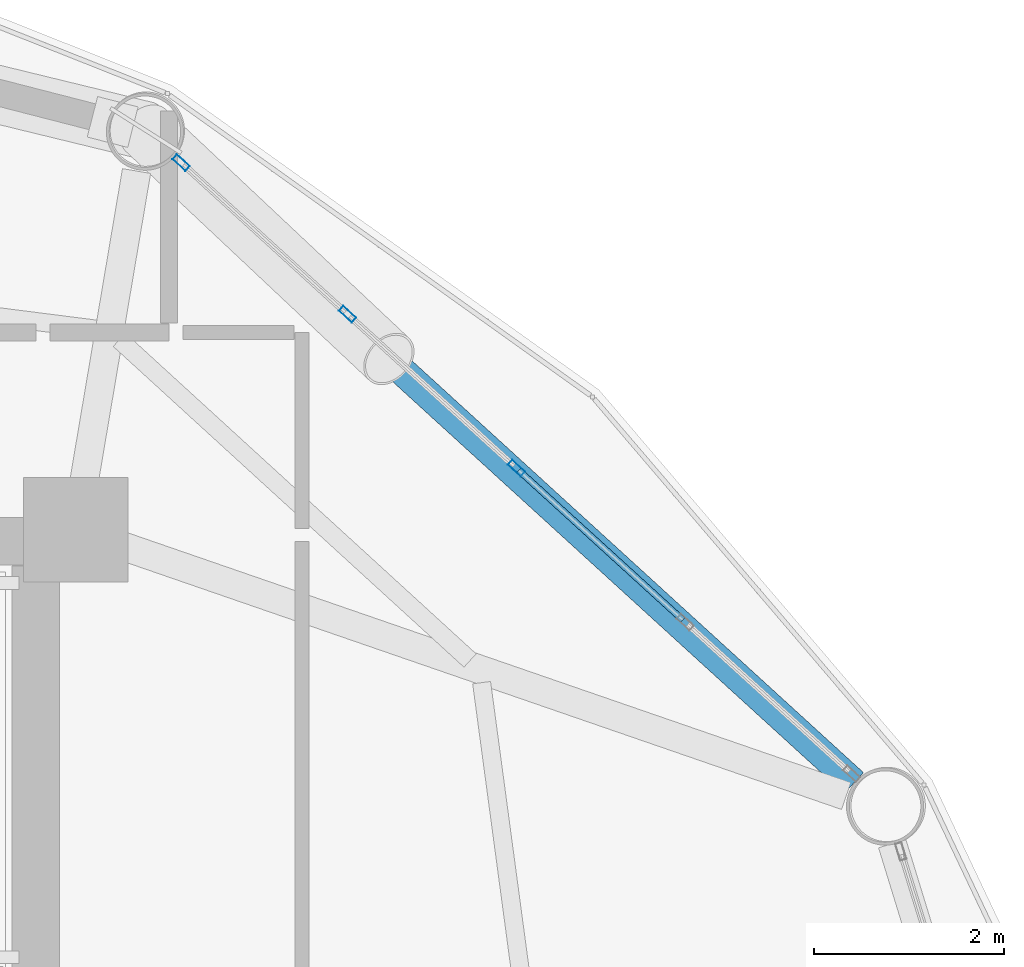
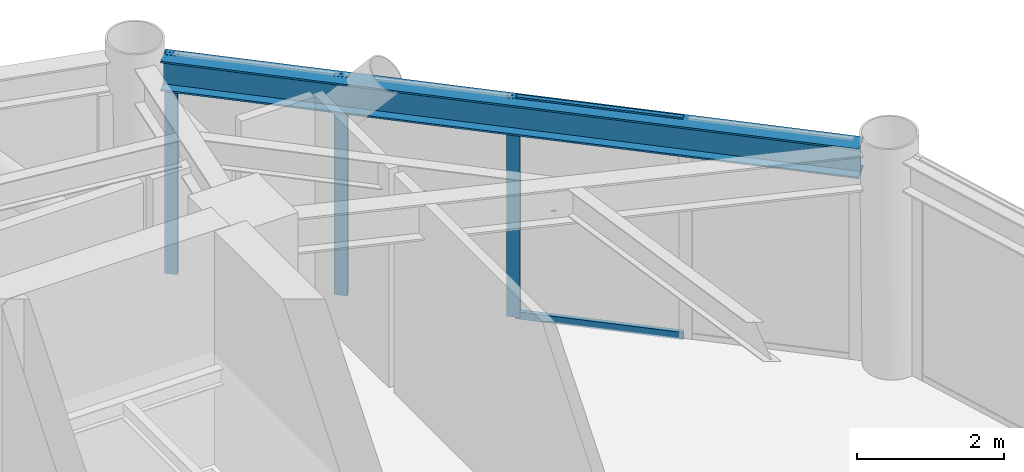
# One storey, part 18 of 24: 5 members, 1 beam, 1 element without a shape of its own.
"""IFC4 building model written with IfcOpenShell, lengths in metres."""

from ifc_helpers import new_model, si_unit, direction, frame, origin, origin_2d, place, context, subcontext, project, spatial, hollow_rectangle, i_section, extrude, material, layer, layer_set, material_profile, profile_set, type_object, element, aggregate, save


model = new_model("IFC4")

# Units and contexts
model_context = context("Model", 3, precision=1e-05, world=origin(), true_north=direction((0.0, 1.0)))
body_context = subcontext(model_context, "Body", "Model", "MODEL_VIEW")
ifc_project = project(units=[si_unit("LENGTHUNIT", "METRE"), si_unit("AREAUNIT", "SQUARE_METRE"), si_unit("VOLUMEUNIT", "CUBIC_METRE"), si_unit("PLANEANGLEUNIT", "RADIAN"), si_unit("MASSUNIT", "GRAM", prefix="KILO")], contexts=[model_context])

# Site, building, storey
site_placement = place(None, origin())
site = spatial("IfcSite", under=ifc_project, at=site_placement, CompositionType="ELEMENT")
building_placement = place(site_placement, origin())
building = spatial("IfcBuilding", under=site, at=building_placement, Name="Varnakorn Sky Granary", CompositionType="ELEMENT")
storey_placement = place(building_placement, frame((0.0, 0.0, 111.0)))
storey = spatial("IfcBuildingStorey", under=building, at=storey_placement, Name="L27", CompositionType="ELEMENT", Elevation=111.0)

# Beam
ifc_material_1 = material(Name="Steel S355JR", Category="steel")
ifc_material_profile_1 = material_profile(ifc_material_1, i_section(OverallWidth=0.300048828125, OverallDepth=0.5, WebThickness=0.014404296875, FlangeThickness=0.028076171875, at=origin_2d()), Name="HE 500 B")
ifc_profile_set_1 = profile_set([ifc_material_profile_1], Name="Steel S355JR")
beam_type = type_object("IfcBeamType", Name="BM-SPD-Z2", PredefinedType="SPANDREL", material=ifc_profile_set_1)
beam_placement = place(storey_placement, frame((16.612060546875, 9.954833984375, 3.389892578125), z_axis=(-0.738808701246, 0.673915204579, 0.0), x_axis=(-0.673915204579, -0.738808701246, 0.0)))
element("IfcBeam", 1, at=beam_placement, inside=storey, type_object=beam_type, Name="Perimeter Spandrel Ring Beam RB02 L27", PredefinedType="SPANDREL", context=body_context, shape_type="SweptSolid", body=[
    extrude(i_section(OverallWidth=0.300048828125, OverallDepth=0.5, WebThickness=0.014404296875, FlangeThickness=0.028076171875, at=origin_2d()), origin(), (0.0, 0.0, 1.0), 9.744140625),
])

# Curtain wall, members
ifc_material_2 = material(Name="Anodised Bronze Aluminium Alloy 6063-T6", Category="aluminium")
ifc_layer = layer(ifc_material_2, 0.179931640625, Name="Anodised Bronze Aluminium Alloy 6063-T6")
ifc_layer_set = layer_set([ifc_layer], Name="Anodised Bronze Aluminium Alloy 6063-T6")
curtain_wall_type = type_object("IfcCurtainWallType", Name="CW-FRM-2", PredefinedType="USERDEFINED", material=ifc_layer_set)
curtain_wall_placement = place(storey_placement, origin())
curtain_wall = element("IfcCurtainWall", 2, at=curtain_wall_placement, inside=storey, type_object=curtain_wall_type, Name="Unitised Curtain Wall CW4 CW-L27-B02", ObjectType="CURTAIN WALL", PredefinedType="USERDEFINED")
ifc_material_profile_2 = material_profile(ifc_material_2, hollow_rectangle(XDim=0.070068359375, YDim=0.18505859375, WallThickness=0.00390625, at=origin_2d()), Name="ALU MULL 70x185")
ifc_profile_set_2 = profile_set([ifc_material_profile_2], Name="Anodised Bronze Aluminium Alloy 6063-T6")
member_type_1 = type_object("IfcMemberType", Name="CW-FRM-2-MULL", PredefinedType="MULLION", material=ifc_profile_set_2)
member_1_placement = place(storey_placement, frame((9.528076171875, 16.488037109375, 0.0), z_axis=(0.0, 0.0, 1.0), x_axis=(0.673654386152, 0.739046526287, 0.0)))
member_1 = element("IfcMember", 3, at=member_1_placement, type_object=member_type_1, Name="CW4 mullion 1", PredefinedType="MULLION", context=body_context, shape_type="SweptSolid", body=[
    extrude(hollow_rectangle(XDim=0.070068359375, YDim=0.18505859375, WallThickness=0.00390625, at=origin_2d()), origin(), (0.0, 0.0, 1.0), 3.639892578125),
])
member_2_placement = place(storey_placement, frame((11.2802734375, 14.890869140625, 0.0), z_axis=(0.0, 0.0, 1.0), x_axis=(0.673654386152, 0.739046526287, 0.0)))
member_2 = element("IfcMember", 4, at=member_2_placement, type_object=member_type_1, Name="CW4 mullion 2", PredefinedType="MULLION", context=body_context, shape_type="SweptSolid", body=[
    extrude(hollow_rectangle(XDim=0.070068359375, YDim=0.18505859375, WallThickness=0.00390625, at=origin_2d()), origin(), (0.0, 0.0, 1.0), 3.639892578125),
])
member_3_placement = place(storey_placement, frame((13.058349609375, 13.270263671875, 0.0), z_axis=(0.0, 0.0, 1.0), x_axis=(0.673654386152, 0.739046526287, 0.0)))
member_3 = element("IfcMember", 5, at=member_3_placement, type_object=member_type_1, Name="CW4 mullion 3", PredefinedType="MULLION", context=body_context, shape_type="SweptSolid", body=[
    extrude(hollow_rectangle(XDim=0.070068359375, YDim=0.18505859375, WallThickness=0.00390625, at=origin_2d()), origin(), (0.0, 0.0, 1.0), 3.639892578125),
])
ifc_material_profile_3 = material_profile(ifc_material_2, hollow_rectangle(XDim=0.06494140625, YDim=0.1201171875, WallThickness=0.00341796875, at=origin_2d()), Name="ALU TRAN 65x120")
ifc_profile_set_3 = profile_set([ifc_material_profile_3], Name="Anodised Bronze Aluminium Alloy 6063-T6")
member_type_2 = type_object("IfcMemberType", Name="CW-FRM-2-TRAN", PredefinedType="USERDEFINED", material=ifc_profile_set_3)
member_4_placement = place(storey_placement, frame((13.084228515625, 13.24658203125, 0.032470703125), z_axis=(0.739064502056, -0.673634664934, 0.0), x_axis=(0.673634664934, 0.739064502056, 0.0)))
member_4 = element("IfcMember", 6, at=member_4_placement, type_object=member_type_2, Name="CW4 transom 3.1", ObjectType="TRANSOM", PredefinedType="USERDEFINED", context=body_context, shape_type="SweptSolid", body=[
    extrude(hollow_rectangle(XDim=0.06494140625, YDim=0.1201171875, WallThickness=0.00341796875, at=origin_2d()), origin(), (0.0, 0.0, 1.0), 2.3359375),
])
member_5_placement = place(storey_placement, frame((13.084228515625, 13.24658203125, 3.607421875), z_axis=(0.739064502056, -0.673634664934, 0.0), x_axis=(0.673634664934, 0.739064502056, 0.0)))
member_5 = element("IfcMember", 7, at=member_5_placement, type_object=member_type_2, Name="CW4 transom 3.2", ObjectType="TRANSOM", PredefinedType="USERDEFINED", context=body_context, shape_type="SweptSolid", body=[
    extrude(hollow_rectangle(XDim=0.06494140625, YDim=0.1201171875, WallThickness=0.00341796875, at=origin_2d()), origin(), (0.0, 0.0, 1.0), 2.3359375),
])
aggregate(curtain_wall, [member_1, member_2, member_3, member_4, member_5])

save(model, "model.ifc")
